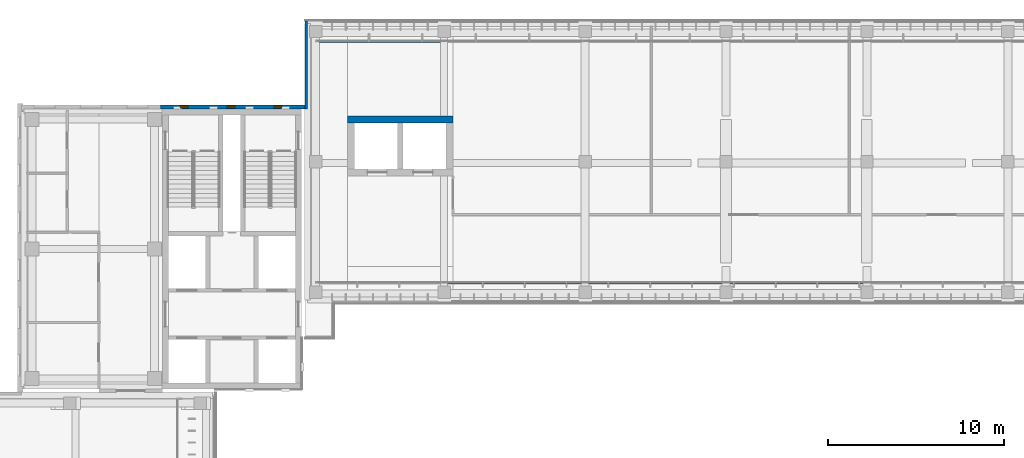
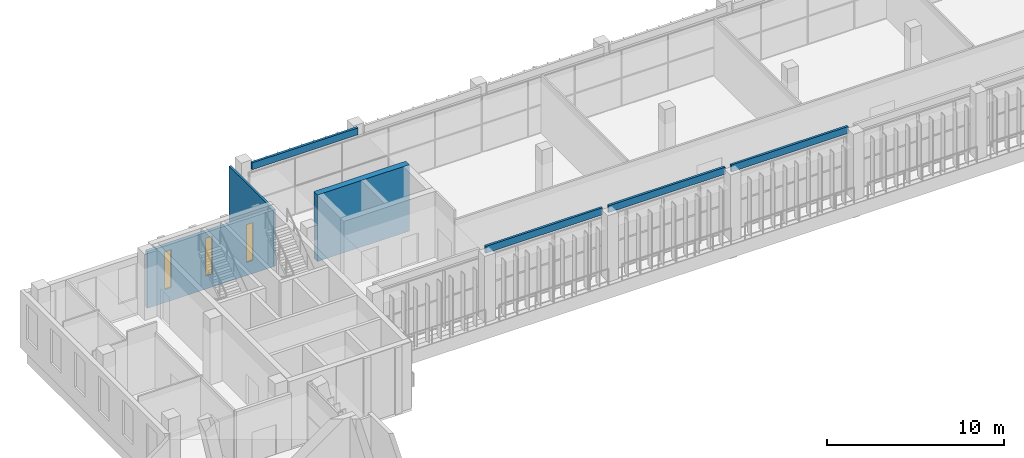
# One storey, part 48 of 73: 7 walls, 3 windows, 3 openings.
"""IFC4 building model written with IfcOpenShell, lengths in metres."""

from ifc_helpers import new_model, si_unit, direction, frame, frame_2d, origin, place, context, subcontext, project, spatial, rectangle, extrude, material, layer, layer_set, type_object, element, fill, save


model = new_model("IFC4")

# Units and contexts
model_context = context("Model", 3, precision=1e-05, world=origin(), true_north=direction((0.0, 1.0)))
body_context = subcontext(model_context, "Body", "Model", "MODEL_VIEW")
ifc_project = project(units=[si_unit("LENGTHUNIT", "METRE"), si_unit("AREAUNIT", "SQUARE_METRE"), si_unit("VOLUMEUNIT", "CUBIC_METRE"), si_unit("PLANEANGLEUNIT", "RADIAN"), si_unit("MASSUNIT", "GRAM", prefix="KILO")], contexts=[model_context])

# Site, building, storey
site_placement = place(None, origin())
site = spatial("IfcSite", under=ifc_project, at=site_placement, CompositionType="ELEMENT")
building_placement = place(site_placement, origin())
building = spatial("IfcBuilding", under=site, at=building_placement, Name="Lantern Court Media Centre", CompositionType="ELEMENT")
storey_placement = place(building_placement, frame((0.0, 0.0, 24.0)))
storey = spatial("IfcBuildingStorey", under=building, at=storey_placement, Name="L05", CompositionType="ELEMENT", Elevation=24.0)

# Walls
ifc_material_1 = material(Name="Insulated rendered blockwork", Category="masonry")
ifc_layer_1 = layer(ifc_material_1, 0.14990234375)
ifc_layer_set_1 = layer_set([ifc_layer_1], Name="Insulated rendered blockwork")
wall_type_1 = type_object("IfcWallType", Name="Head infill wall 150", PredefinedType="SOLIDWALL", material=ifc_layer_set_1)
wall_1_placement = place(storey_placement, frame((24.89990234375, 115.85009765625, 4.10009765625), z_axis=(0.0, 0.0, 1.0), x_axis=(1.0, 0.0, 0.0)))
element("IfcWall", 1, at=wall_1_placement, inside=storey, type_object=wall_type_1, Name="Head infill wall N outer L05", PredefinedType="SOLIDWALL", context=body_context, shape_type="SweptSolid", body=[
    extrude(rectangle(XDim=6.900146484375, YDim=0.14990234375, at=frame_2d((3.4501953125, 0.0))), origin(), (0.0, 0.0, 1.0), 0.47998046875),
])
for number, where, z_axis, x_axis, name in (
    (2, (32.199951171875, 102.14990234375, 4.10009765625), (0.0, 0.0, 1.0), (1.0, 0.0, 0.0), "Head infill wall N inner L05"),
    (3, (40.199951171875, 102.14990234375, 4.10009765625), (0.0, 0.0, 1.0), (1.0, 0.0, 0.0), "Head infill wall N inner L05"),
    (4, (48.199951171875, 102.14990234375, 4.10009765625), (0.0, 0.0, 1.0), (1.0, 0.0, 0.0), "Head infill wall N inner L05"),
):
    element("IfcWall", number, at=place(storey_placement, frame(where, z_axis=z_axis, x_axis=x_axis)), inside=storey, type_object=wall_type_1, Name=name, PredefinedType="SOLIDWALL", context=body_context, shape_type="SweptSolid", body=[
        extrude(rectangle(XDim=7.60009765625, YDim=0.14990234375, at=frame_2d((3.800048828125, 0.0))), origin(), (0.0, 0.0, 1.0), 0.47998046875),
    ])
ifc_material_2 = material(Name="Honed limestone cladding on blockwork", Category="masonry")
ifc_layer_2 = layer(ifc_material_2, 0.139892578125)
ifc_layer_set_2 = layer_set([ifc_layer_2], Name="Honed limestone cladding on blockwork")
wall_type_2 = type_object("IfcWallType", Name="Limestone closure wall 140", PredefinedType="SOLIDWALL", material=ifc_layer_set_2)
wall_2_placement = place(storey_placement, frame((24.169921875, 112.0, 0.0), z_axis=(0.0, 0.0, 1.0), x_axis=(0.0, 1.0, 0.0)))
element("IfcWall", 5, at=wall_2_placement, inside=storey, type_object=wall_type_2, Name="Limestone closure wall N-NW L05", PredefinedType="SOLIDWALL", context=body_context, shape_type="SweptSolid", body=[
    extrude(rectangle(XDim=5.0, YDim=0.139892578125, at=frame_2d((2.5, 0.0))), origin(), (0.0, 0.0, 1.0), 3.89990234375),
])

# Wall, openings, windows
ifc_material_3 = material(Name="Honed limestone cladding on blockwork, reduced to 220 where it passes the core wall", Category="masonry")
ifc_layer_3 = layer(ifc_material_3, 0.219970703125)
ifc_layer_set_3 = layer_set([ifc_layer_3], Name="Honed limestone cladding on blockwork, reduced to 220 where it passes the core wall")
wall_type_3 = type_object("IfcWallType", Name="Limestone skin wall 220", PredefinedType="SOLIDWALL", material=ifc_layer_set_3)
wall_3_placement = place(storey_placement, frame((15.89990234375, 112.110107421875, 0.0), z_axis=(0.0, 0.0, 1.0), x_axis=(1.0, 0.0, 0.0)))
wall_3 = element("IfcWall", 6, at=wall_3_placement, inside=storey, type_object=wall_type_3, Name="Limestone wall NW N L05", PredefinedType="SOLIDWALL", context=body_context, shape_type="SweptSolid", body=[
    extrude(rectangle(XDim=8.2001953125, YDim=0.219970703125, at=frame_2d((4.10009765625, 0.0))), origin(), (0.0, 0.0, 1.0), 3.89990234375),
])
opening_1_placement = place(wall_3_placement, frame((1.1083984375, 0.0, 0.89990234375)))
opening_1 = element("IfcOpeningElement", 7, at=opening_1_placement, cuts=wall_3, Name="Opening WN-S", PredefinedType="OPENING", context=body_context, shape_type="SweptSolid", body=[
    extrude(rectangle(XDim=0.449951171875, YDim=2.60009765625, at=frame_2d((0.22509765625, 1.300048828125))), frame((0.0, 0.119873046875, 0.0), z_axis=(0.0, -1.0, 0.0), x_axis=(1.0, 0.0, 0.0)), (0.0, 0.0, 1.0), 0.239990234375),
])
opening_2_placement = place(wall_3_placement, frame((3.77490234375, 0.0, 0.89990234375)))
opening_2 = element("IfcOpeningElement", 8, at=opening_2_placement, cuts=wall_3, Name="Opening WN-S", PredefinedType="OPENING", context=body_context, shape_type="SweptSolid", body=[
    extrude(rectangle(XDim=0.449951171875, YDim=2.60009765625, at=frame_2d((0.22509765625, 1.300048828125))), frame((0.0, 0.119873046875, 0.0), z_axis=(0.0, -1.0, 0.0), x_axis=(1.0, 0.0, 0.0)), (0.0, 0.0, 1.0), 0.239990234375),
])
opening_3_placement = place(wall_3_placement, frame((6.441650390625, 0.0, 0.89990234375)))
opening_3 = element("IfcOpeningElement", 9, at=opening_3_placement, cuts=wall_3, Name="Opening WN-S", PredefinedType="OPENING", context=body_context, shape_type="SweptSolid", body=[
    extrude(rectangle(XDim=0.449951171875, YDim=2.60009765625, at=frame_2d((0.22509765625, 1.300048828125))), frame((0.0, 0.119873046875, 0.0), z_axis=(0.0, -1.0, 0.0), x_axis=(1.0, 0.0, 0.0)), (0.0, 0.0, 1.0), 0.239990234375),
])
ifc_material_4 = material(Name="Anodised aluminium and glass", Category="aluminium")
window_type = type_object("IfcWindowType", Name="Stair slit window 450x2600", PartitioningType="SINGLE_PANEL", PredefinedType="WINDOW", material=ifc_material_4)
window_1_placement = place(opening_1_placement, origin())
window_1 = element("IfcWindow", 10, at=window_1_placement, inside=storey, type_object=window_type, Name="Window NW N L05", OverallHeight=2.60009765625, OverallWidth=0.449951171875, PartitioningType="SINGLE_PANEL", PredefinedType="WINDOW", context=body_context, shape_type="SweptSolid", body=[
    extrude(rectangle(XDim=0.449951171875, YDim=2.60009765625, at=frame_2d((0.22509765625, 1.300048828125))), frame((0.0, 0.030029296875, 0.0), z_axis=(0.0, -1.0, 0.0), x_axis=(1.0, 0.0, 0.0)), (0.0, 0.0, 1.0), 0.06005859375),
])
fill(opening_1, window_1)
window_2_placement = place(opening_2_placement, origin())
window_2 = element("IfcWindow", 11, at=window_2_placement, inside=storey, type_object=window_type, Name="Window NW N L05", OverallHeight=2.60009765625, OverallWidth=0.449951171875, PartitioningType="SINGLE_PANEL", PredefinedType="WINDOW", context=body_context, shape_type="SweptSolid", body=[
    extrude(rectangle(XDim=0.449951171875, YDim=2.60009765625, at=frame_2d((0.22509765625, 1.300048828125))), frame((0.0, 0.030029296875, 0.0), z_axis=(0.0, -1.0, 0.0), x_axis=(1.0, 0.0, 0.0)), (0.0, 0.0, 1.0), 0.06005859375),
])
fill(opening_2, window_2)
window_3_placement = place(opening_3_placement, origin())
window_3 = element("IfcWindow", 12, at=window_3_placement, inside=storey, type_object=window_type, Name="Window NW N L05", OverallHeight=2.60009765625, OverallWidth=0.449951171875, PartitioningType="SINGLE_PANEL", PredefinedType="WINDOW", context=body_context, shape_type="SweptSolid", body=[
    extrude(rectangle(XDim=0.449951171875, YDim=2.60009765625, at=frame_2d((0.22509765625, 1.300048828125))), frame((0.0, 0.030029296875, 0.0), z_axis=(0.0, -1.0, 0.0), x_axis=(1.0, 0.0, 0.0)), (0.0, 0.0, 1.0), 0.06005859375),
])
fill(opening_3, window_3)

# Wall
ifc_material_5 = material(Name="Concrete C40", Category="concrete")
ifc_layer_4 = layer(ifc_material_5, 0.39990234375)
ifc_layer_set_4 = layer_set([ifc_layer_4], Name="Concrete C40")
wall_type_4 = type_object("IfcWallType", Name="RC SHEAR WALL 400", PredefinedType="SHEAR", material=ifc_layer_set_4)
wall_4_placement = place(storey_placement, frame((26.5, 111.39990234375, 0.0), z_axis=(0.0, 0.0, 1.0), x_axis=(1.0, 0.0, 0.0)))
element("IfcWall", 13, at=wall_4_placement, inside=storey, type_object=wall_type_4, Name="WB-N-LC-L05-N", PredefinedType="SHEAR", context=body_context, shape_type="SweptSolid", body=[
    extrude(rectangle(XDim=6.0, YDim=0.39990234375, at=frame_2d((3.0, 0.0))), origin(), (0.0, 0.0, 1.0), 4.580078125),
])

save(model, "model.ifc")
